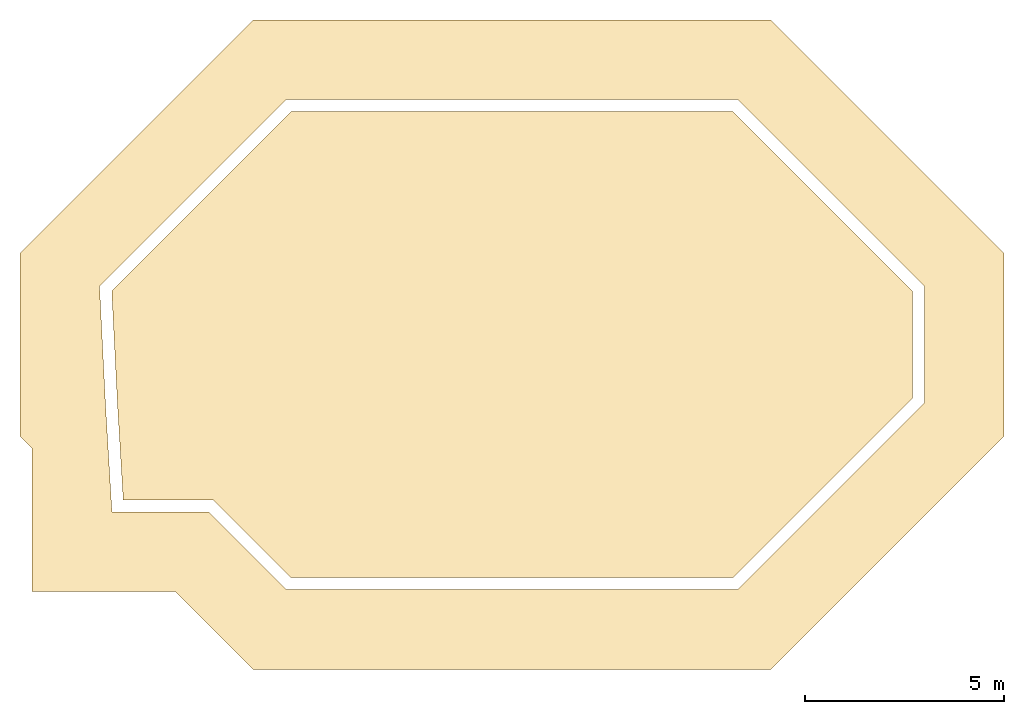
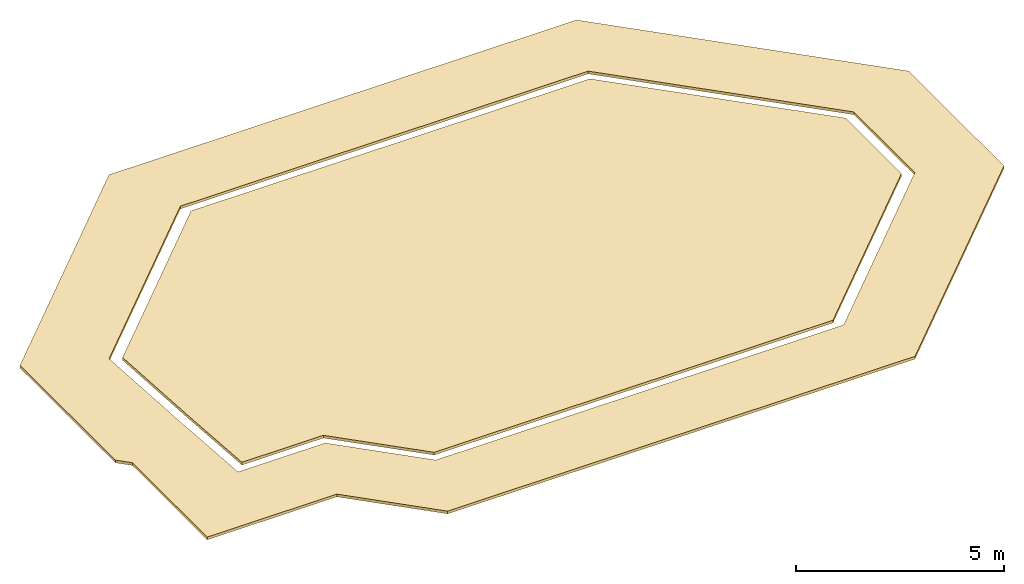
# One storey: 2 coverings.
"""IFC4 building model written with IfcOpenShell, lengths in metres."""

from ifc_helpers import new_model, si_unit, direction, frame, origin, place, context, subcontext, project, spatial, polyline, outline, extrude, material, layer, layer_set, type_object, element, save


model = new_model("IFC4")

# Units and contexts
model_context = context("Model", 3, precision=1e-05, world=origin(), true_north=direction((0.0, 1.0)))
body_context = subcontext(model_context, "Body", "Model", "MODEL_VIEW")
ifc_project = project(units=[si_unit("LENGTHUNIT", "METRE"), si_unit("AREAUNIT", "SQUARE_METRE"), si_unit("VOLUMEUNIT", "CUBIC_METRE"), si_unit("PLANEANGLEUNIT", "RADIAN"), si_unit("MASSUNIT", "GRAM", prefix="KILO")], contexts=[model_context])

# Site, building, storey
site_placement = place(None, origin())
site = spatial("IfcSite", under=ifc_project, at=site_placement, CompositionType="ELEMENT")
building_placement = place(site_placement, origin())
building = spatial("IfcBuilding", under=site, at=building_placement, Name="Kawkab Arch Medical Tower", CompositionType="ELEMENT")
storey_placement = place(building_placement, frame((0.0, 0.0, 363.699951171875)))
storey = spatial("IfcBuildingStorey", under=building, at=storey_placement, Name="ROOF", CompositionType="ELEMENT", Elevation=363.699951171875)

# Coverings
ifc_material = material(Name="Insulated bituminous roof membrane with ballast")
ifc_layer = layer(ifc_material, 0.080078125)
ifc_layer_set = layer_set([ifc_layer], Name="Insulated bituminous roof membrane with ballast")
covering_type = type_object("IfcCoveringType", Name="Roof membrane and insulation 80", PredefinedType="ROOFING", material=ifc_layer_set)
placement = place(storey_placement, origin())
element("IfcCovering", 1, at=placement, inside=storey, type_object=covering_type, Name="Roofing, crown peak B", PredefinedType="ROOFING", context=body_context, shape_type="SweptSolid", body=[
    extrude(outline(polyline([(6.103515625, -41.75), (19.096435546875, -41.75), (24.949951171875, -35.896484375), (24.949951171875, -31.3037109375), (19.096435546875, -25.449951171875), (6.103515625, -25.449951171875), (0.25, -31.3037109375), (0.25, -35.896484375), (0.550048828125, -36.1962890625), (0.550048828125, -39.800048828125), (4.153564453125, -39.800048828125), (6.103515625, -41.75)]), holes=[polyline([(2.400146484375, -35.164306640625), (2.246826171875, -32.135009765625), (6.931884765625, -27.449951171875), (18.26806640625, -27.449951171875), (22.949951171875, -32.132080078125), (22.949951171875, -35.068115234375), (18.26806640625, -39.75), (6.931884765625, -39.75), (4.98193359375, -37.800048828125), (2.558837890625, -37.800048828125), (2.400146484375, -35.164306640625)])]), origin(), (0.0, 0.0, 1.0), 0.080078125),
])
element("IfcCovering", 2, at=placement, inside=storey, type_object=covering_type, Name="Roofing, crown peak B", PredefinedType="ROOFING", context=body_context, shape_type="SweptSolid", body=[
    extrude(outline(polyline([(7.05615234375, -39.449951171875), (18.143798828125, -39.449951171875), (22.64990234375, -34.94384765625), (22.64990234375, -32.256103515625), (18.143798828125, -27.75), (7.05615234375, -27.75), (2.55322265625, -32.253173828125), (2.69970703125, -35.147705078125), (2.84130859375, -37.5), (5.106201171875, -37.5), (7.05615234375, -39.449951171875)])), origin(), (0.0, 0.0, 1.0), 0.080078125),
])

save(model, "model.ifc")
